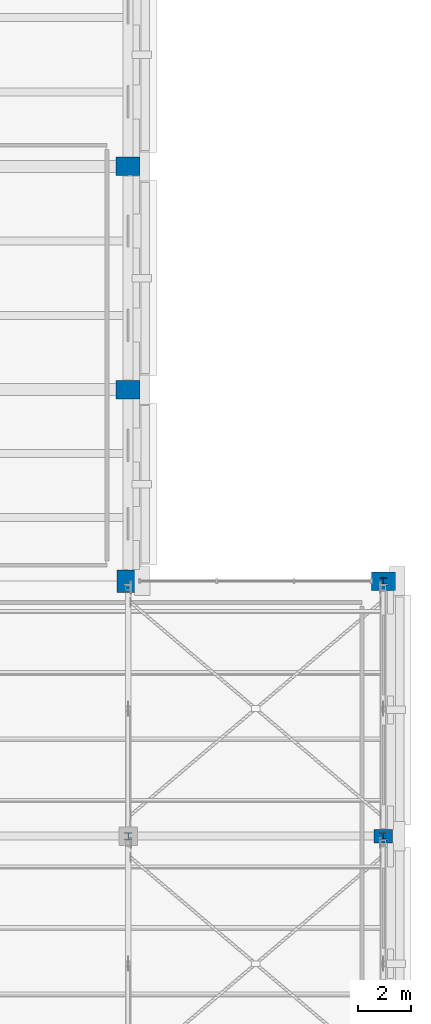
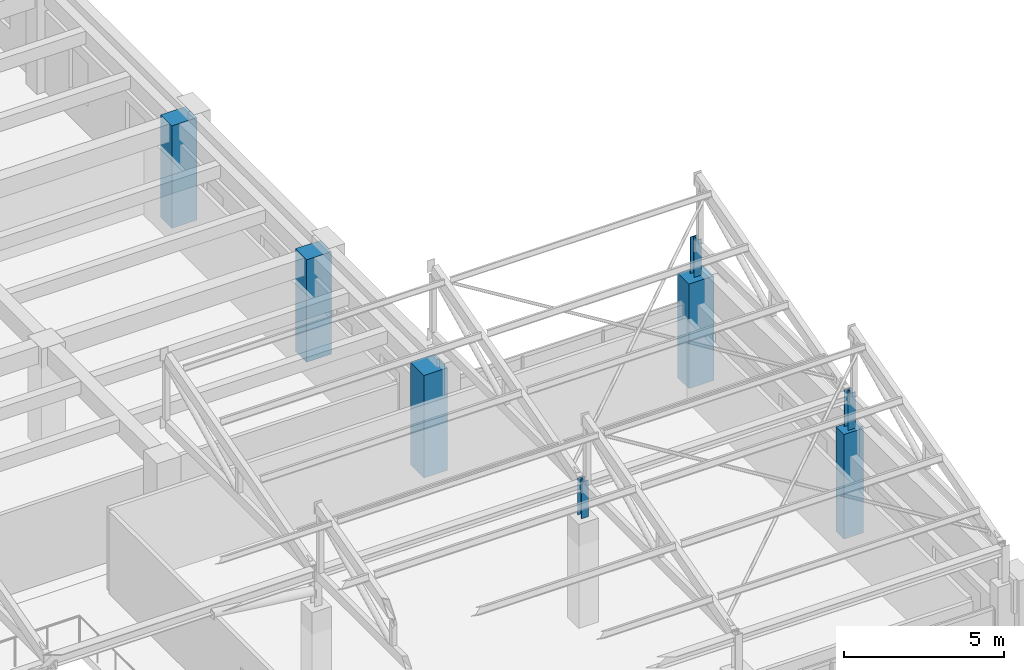
# One storey, part 10 of 58: 8 columns.
"""IFC4 building model written with IfcOpenShell, lengths in metres."""

from ifc_helpers import new_model, si_unit, direction, frame, origin, origin_2d, place, context, subcontext, project, spatial, rectangle, i_section, extrude, material, material_profile, profile_set, type_object, element, save


model = new_model("IFC4")

# Units and contexts
model_context = context("Model", 3, precision=1e-05, world=origin(), true_north=direction((0.0, 1.0)))
body_context = subcontext(model_context, "Body", "Model", "MODEL_VIEW")
ifc_project = project(units=[si_unit("LENGTHUNIT", "METRE"), si_unit("AREAUNIT", "SQUARE_METRE"), si_unit("VOLUMEUNIT", "CUBIC_METRE"), si_unit("PLANEANGLEUNIT", "RADIAN"), si_unit("MASSUNIT", "GRAM", prefix="KILO")], contexts=[model_context])

# Site, building, storey
site_placement = place(None, origin())
site = spatial("IfcSite", under=ifc_project, at=site_placement, CompositionType="ELEMENT")
building_placement = place(site_placement, origin())
building = spatial("IfcBuilding", under=site, at=building_placement, Name="Bempovik Park Faculty of Sciences", CompositionType="ELEMENT")
storey_placement = place(building_placement, frame((0.0, 0.0, 18.300048828125)))
storey = spatial("IfcBuildingStorey", under=building, at=storey_placement, Name="L04", CompositionType="ELEMENT", Elevation=18.300048828125)

# Columns
ifc_material_1 = material(Name="Concrete C40/50", Category="concrete")
ifc_material_profile_1 = material_profile(ifc_material_1, rectangle(XDim=0.89990234375, YDim=0.699951171875, at=origin_2d()), Name="RC 900x700")
ifc_profile_set_1 = profile_set([ifc_material_profile_1], Name="Concrete C40/50")
column_type_1 = type_object("IfcColumnType", Name="C-25 RC 900x700", PredefinedType="COLUMN", material=ifc_profile_set_1)
for number, where, z_axis, x_axis, name in (
    (1, (117.60009765625, 94.199951171875, 0.0), (0.0, 0.0, 1.0), (1.0, 0.0, 0.0), "L04 Structural Column (117.6,94.2)"),
    (2, (117.60009765625, 102.60009765625, 0.0), (0.0, 0.0, 1.0), (1.0, 0.0, 0.0), "L04 Structural Column (117.6,102.6)"),
):
    element("IfcColumn", number, at=place(storey_placement, frame(where, z_axis=z_axis, x_axis=x_axis)), inside=storey, type_object=column_type_1, Name=name, PredefinedType="COLUMN", context=body_context, shape_type="SweptSolid", body=[
        extrude(rectangle(XDim=0.89990234375, YDim=0.699951171875, at=origin_2d()), origin(), (0.0, 0.0, 1.0), 3.89990234375),
    ])
column_1_placement = place(storey_placement, frame((127.199951171875, 87.0, 0.0), z_axis=(0.0, 0.0, 1.0), x_axis=(1.0, 0.0, 0.0)))
element("IfcColumn", 3, at=column_1_placement, inside=storey, type_object=column_type_1, Name="L04 Structural Column (127.2,87.0)", PredefinedType="COLUMN", context=body_context, shape_type="SweptSolid", body=[
    extrude(rectangle(XDim=0.89990234375, YDim=0.699951171875, at=origin_2d()), origin(), (0.0, 0.0, 1.0), 3.97998046875),
])
ifc_material_profile_2 = material_profile(ifc_material_1, rectangle(XDim=0.85009765625, YDim=0.85009765625, at=origin_2d()), Name="RC 850x850")
ifc_profile_set_2 = profile_set([ifc_material_profile_2], Name="Concrete C40/50")
column_type_2 = type_object("IfcColumnType", Name="C-36 RC 850x850", PredefinedType="COLUMN", material=ifc_profile_set_2)
column_2_placement = place(storey_placement, frame((117.60009765625, 87.0, 0.0), z_axis=(0.0, 0.0, 1.0), x_axis=(1.0, 0.0, 0.0)))
element("IfcColumn", 4, at=column_2_placement, inside=storey, type_object=column_type_2, Name="L04 Structural Column (117.6,87.0)", PredefinedType="COLUMN", context=body_context, shape_type="SweptSolid", body=[
    extrude(rectangle(XDim=0.85009765625, YDim=0.85009765625, at=origin_2d()), origin(), (0.0, 0.0, 1.0), 3.89990234375),
])
ifc_material_profile_3 = material_profile(ifc_material_1, rectangle(XDim=0.699951171875, YDim=0.5, at=origin_2d()), Name="RC 700x500")
ifc_profile_set_3 = profile_set([ifc_material_profile_3], Name="Concrete C40/50")
column_type_3 = type_object("IfcColumnType", Name="C-75 RC 700x500", PredefinedType="COLUMN", material=ifc_profile_set_3)
column_3_placement = place(storey_placement, frame((127.199951171875, 77.39990234375, 0.0), z_axis=(0.0, 0.0, 1.0), x_axis=(1.0, 0.0, 0.0)))
element("IfcColumn", 5, at=column_3_placement, inside=storey, type_object=column_type_3, Name="L04 Structural Column (127.2,77.4)", PredefinedType="COLUMN", context=body_context, shape_type="SweptSolid", body=[
    extrude(rectangle(XDim=0.699951171875, YDim=0.5, at=origin_2d()), origin(), (0.0, 0.0, 1.0), 3.97998046875),
])
ifc_material_2 = material(Name="Steel S355", Category="steel")
ifc_material_profile_4 = material_profile(ifc_material_2, i_section(OverallWidth=0.260009765625, OverallDepth=0.260009765625, WebThickness=0.010009765625, FlangeThickness=0.017578125, at=origin_2d()), Name="HEB 260")
ifc_profile_set_4 = profile_set([ifc_material_profile_4], Name="Steel S355")
column_type_4 = type_object("IfcColumnType", Name="C-80 HEB 260", PredefinedType="COLUMN", material=ifc_profile_set_4)
for number, where, z_axis, x_axis, name in (
    (6, (117.60009765625, 77.39990234375, 3.98583984375), (0.0, 0.0, 1.0), (1.0, 0.0, 0.0), "Sawtooth Clerestory Steel Column V2 (117.6,77.4)"),
    (7, (127.199951171875, 77.39990234375, 3.98583984375), (0.0, 0.0, 1.0), (1.0, 0.0, 0.0), "Sawtooth Clerestory Steel Column V2 (127.2,77.4)"),
    (8, (127.199951171875, 87.0, 3.98583984375), (0.0, 0.0, 1.0), (1.0, 0.0, 0.0), "Sawtooth Clerestory Steel Column V2 (127.2,87.0)"),
):
    element("IfcColumn", number, at=place(storey_placement, frame(where, z_axis=z_axis, x_axis=x_axis)), inside=storey, type_object=column_type_4, Name=name, PredefinedType="COLUMN", context=body_context, shape_type="SweptSolid", body=[
        extrude(i_section(OverallWidth=0.260009765625, OverallDepth=0.260009765625, WebThickness=0.010009765625, FlangeThickness=0.017578125, at=origin_2d()), origin(), (0.0, 0.0, 1.0), 1.38916015625),
    ])

save(model, "model.ifc")
